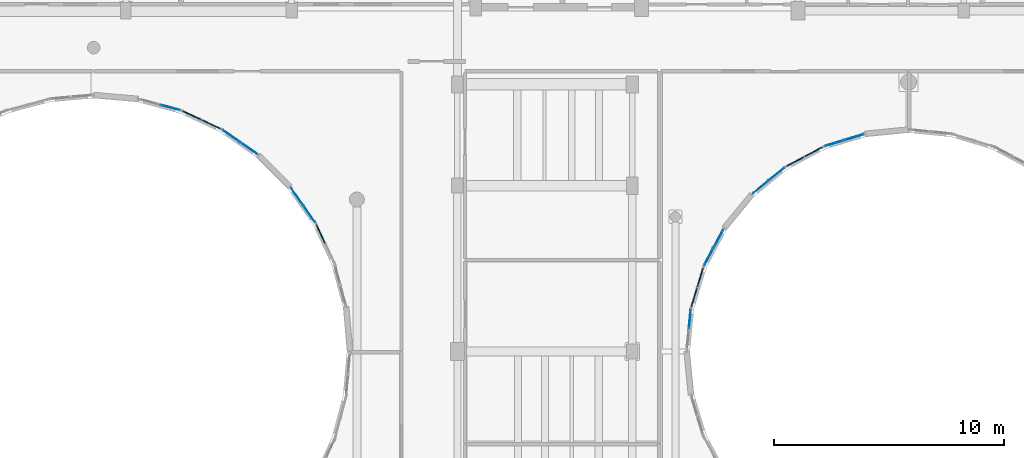
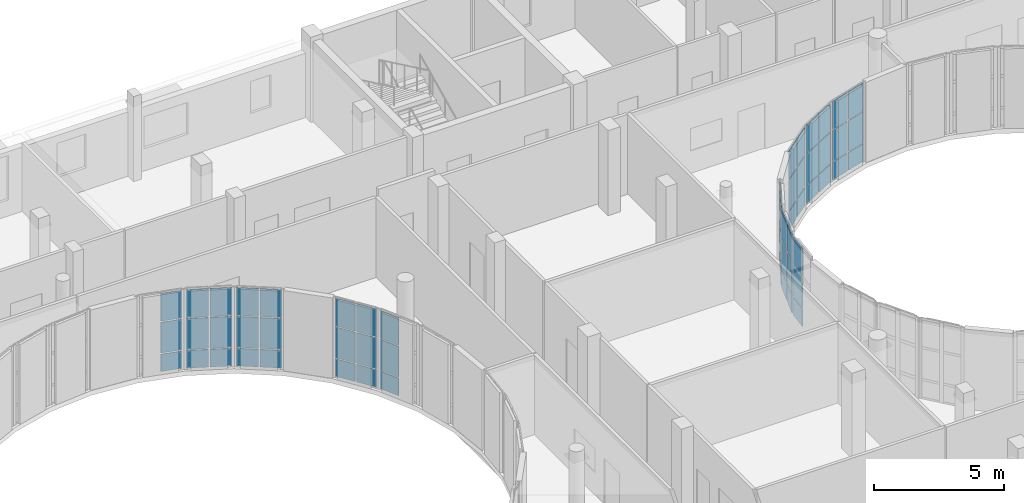
# One storey, part 61 of 89: 57 plates, 11 elements without a shape of their own.
"""IFC4 building model written with IfcOpenShell, lengths in metres."""

from ifc_helpers import new_model, si_unit, direction, frame, origin, origin_2d, place, context, subcontext, project, spatial, rectangle, extrude, material, layer, layer_set, type_object, element, aggregate, save


model = new_model("IFC4")

# Units and contexts
model_context = context("Model", 3, precision=1e-05, world=origin(), true_north=direction((0.0, 1.0)))
body_context = subcontext(model_context, "Body", "Model", "MODEL_VIEW")
ifc_project = project(units=[si_unit("LENGTHUNIT", "METRE"), si_unit("AREAUNIT", "SQUARE_METRE"), si_unit("VOLUMEUNIT", "CUBIC_METRE"), si_unit("PLANEANGLEUNIT", "RADIAN"), si_unit("MASSUNIT", "GRAM", prefix="KILO")], contexts=[model_context])

# Site, building, storey
site_placement = place(None, origin())
site = spatial("IfcSite", under=ifc_project, at=site_placement, CompositionType="ELEMENT")
building_placement = place(site_placement, origin())
building = spatial("IfcBuilding", under=site, at=building_placement, Name="Kelanivale Promenade Academy", CompositionType="ELEMENT")
storey_placement = place(building_placement, frame((0.0, 0.0, 12.199951171875)))
storey = spatial("IfcBuildingStorey", under=building, at=storey_placement, Name="L03", CompositionType="ELEMENT", Elevation=12.199951171875)

# Curtain wall, plates
ifc_material_1 = material(Name="Bronze anodised aluminium and solar-control low-E glass", Category="aluminium")
ifc_layer_1 = layer(ifc_material_1, 0.169921875)
ifc_layer_set_1 = layer_set([ifc_layer_1], Name="Bronze anodised aluminium and solar-control low-E glass")
curtain_wall_type_1 = type_object("IfcCurtainWallType", Name="CW-19 Curtain Wall 1350mm Module", PredefinedType="USERDEFINED", material=ifc_layer_set_1)
curtain_wall_1_placement = place(storey_placement, origin())
curtain_wall_1 = element("IfcCurtainWall", 1, at=curtain_wall_1_placement, inside=storey, type_object=curtain_wall_type_1, Name="L03 courtyard curtain wall CW-19", ObjectType="COURTYARD SCREEN GLAZING", PredefinedType="USERDEFINED")
ifc_material_2 = material(Name="Solar-control double glazing 28 mm", Category="glass")
ifc_layer_2 = layer(ifc_material_2, 0.028076171875)
ifc_layer_set_2 = layer_set([ifc_layer_2], Name="Solar-control double glazing 28 mm")
plate_type_1 = type_object("IfcPlateType", Name="CWP-01 Plate 28mm", PredefinedType="CURTAIN_PANEL", material=ifc_layer_set_2)
plate_1_placement = place(storey_placement, frame((93.0634765625, 64.50390625, 0.05029296875), z_axis=(0.0, 0.0, 1.0), x_axis=(-0.773257170269, -0.634092539482, 0.0)))
plate_1 = element("IfcPlate", 2, at=plate_1_placement, type_object=plate_type_1, Name="CW-19 panel 1.1", PredefinedType="CURTAIN_PANEL", context=body_context, shape_type="SweptSolid", body=[
    extrude(rectangle(XDim=0.825927734375, YDim=0.028076171875, at=origin_2d()), origin(), (0.0, 0.0, 1.0), 0.824951171875),
])
plate_2_placement = place(storey_placement, frame((93.0634765625, 64.50390625, 0.92529296875), z_axis=(0.0, 0.0, 1.0), x_axis=(-0.773257170269, -0.634092539482, 0.0)))
plate_2 = element("IfcPlate", 3, at=plate_2_placement, type_object=plate_type_1, Name="CW-19 panel 1.2", PredefinedType="CURTAIN_PANEL", context=body_context, shape_type="SweptSolid", body=[
    extrude(rectangle(XDim=0.825927734375, YDim=0.028076171875, at=origin_2d()), origin(), (0.0, 0.0, 1.0), 1.449951171875),
])
plate_3_placement = place(storey_placement, frame((93.0634765625, 64.50390625, 2.42529296875), z_axis=(0.0, 0.0, 1.0), x_axis=(-0.773257170269, -0.634092539482, 0.0)))
plate_3 = element("IfcPlate", 4, at=plate_3_placement, type_object=plate_type_1, Name="CW-19 panel 1.3", PredefinedType="CURTAIN_PANEL", context=body_context, shape_type="SweptSolid", body=[
    extrude(rectangle(XDim=0.825927734375, YDim=0.028076171875, at=origin_2d()), origin(), (0.0, 0.0, 1.0), 1.304931640625),
])
plate_4_placement = place(storey_placement, frame((92.37451171875, 63.93896484375, 0.05029296875), z_axis=(0.0, 0.0, 1.0), x_axis=(-0.773257170269, -0.634092539482, 0.0)))
plate_4 = element("IfcPlate", 5, at=plate_4_placement, type_object=plate_type_1, Name="CW-19 panel 2.1", PredefinedType="CURTAIN_PANEL", context=body_context, shape_type="SweptSolid", body=[
    extrude(rectangle(XDim=0.825927734375, YDim=0.028076171875, at=origin_2d()), origin(), (0.0, 0.0, 1.0), 0.824951171875),
])
plate_5_placement = place(storey_placement, frame((92.37451171875, 63.93896484375, 0.92529296875), z_axis=(0.0, 0.0, 1.0), x_axis=(-0.773257170269, -0.634092539482, 0.0)))
plate_5 = element("IfcPlate", 6, at=plate_5_placement, type_object=plate_type_1, Name="CW-19 panel 2.2", PredefinedType="CURTAIN_PANEL", context=body_context, shape_type="SweptSolid", body=[
    extrude(rectangle(XDim=0.825927734375, YDim=0.028076171875, at=origin_2d()), origin(), (0.0, 0.0, 1.0), 1.449951171875),
])
plate_6_placement = place(storey_placement, frame((92.37451171875, 63.93896484375, 2.42529296875), z_axis=(0.0, 0.0, 1.0), x_axis=(-0.773257170269, -0.634092539482, 0.0)))
plate_6 = element("IfcPlate", 7, at=plate_6_placement, type_object=plate_type_1, Name="CW-19 panel 2.3", PredefinedType="CURTAIN_PANEL", context=body_context, shape_type="SweptSolid", body=[
    extrude(rectangle(XDim=0.825927734375, YDim=0.028076171875, at=origin_2d()), origin(), (0.0, 0.0, 1.0), 1.304931640625),
])
aggregate(curtain_wall_1, [plate_1, plate_2, plate_3, plate_4, plate_5, plate_6])

ifc_layer_3 = layer(ifc_material_1, 0.169921875)
ifc_layer_set_3 = layer_set([ifc_layer_3], Name="Bronze anodised aluminium and solar-control low-E glass")
curtain_wall_type_2 = type_object("IfcCurtainWallType", Name="CW-22 Curtain Wall 1800mm Module", PredefinedType="USERDEFINED", material=ifc_layer_set_3)
curtain_wall_2_placement = place(storey_placement, origin())
curtain_wall_2 = element("IfcCurtainWall", 8, at=curtain_wall_2_placement, inside=storey, type_object=curtain_wall_type_2, Name="L03 courtyard curtain wall CW-22", ObjectType="COURTYARD SCREEN GLAZING", PredefinedType="USERDEFINED")
plate_7_placement = place(storey_placement, frame((89.297119140625, 58.192626953125, 0.05029296875), z_axis=(0.0, 0.0, 1.0), x_axis=(-0.098538762159, -0.99513321337, 0.0)))
plate_7 = element("IfcPlate", 9, at=plate_7_placement, type_object=plate_type_1, Name="CW-22 panel 1.1", PredefinedType="CURTAIN_PANEL", context=body_context, shape_type="SweptSolid", body=[
    extrude(rectangle(XDim=0.83349609375, YDim=0.028076171875, at=origin_2d()), origin(), (0.0, 0.0, 1.0), 0.824951171875),
])
plate_8_placement = place(storey_placement, frame((89.297119140625, 58.192626953125, 0.92529296875), z_axis=(0.0, 0.0, 1.0), x_axis=(-0.098538762159, -0.99513321337, 0.0)))
plate_8 = element("IfcPlate", 10, at=plate_8_placement, type_object=plate_type_1, Name="CW-22 panel 1.2", PredefinedType="CURTAIN_PANEL", context=body_context, shape_type="SweptSolid", body=[
    extrude(rectangle(XDim=0.83349609375, YDim=0.028076171875, at=origin_2d()), origin(), (0.0, 0.0, 1.0), 1.449951171875),
])
plate_9_placement = place(storey_placement, frame((89.297119140625, 58.192626953125, 2.42529296875), z_axis=(0.0, 0.0, 1.0), x_axis=(-0.098538762159, -0.99513321337, 0.0)))
plate_9 = element("IfcPlate", 11, at=plate_9_placement, type_object=plate_type_1, Name="CW-22 panel 1.3", PredefinedType="CURTAIN_PANEL", context=body_context, shape_type="SweptSolid", body=[
    extrude(rectangle(XDim=0.83349609375, YDim=0.028076171875, at=origin_2d()), origin(), (0.0, 0.0, 1.0), 1.304931640625),
])
aggregate(curtain_wall_2, [plate_7, plate_8, plate_9])

ifc_layer_4 = layer(ifc_material_1, 0.169921875)
ifc_layer_set_4 = layer_set([ifc_layer_4], Name="Bronze anodised aluminium and solar-control low-E glass")
curtain_wall_type_3 = type_object("IfcCurtainWallType", Name="CW-13 Curtain Wall 1350mm Module", PredefinedType="USERDEFINED", material=ifc_layer_set_4)
curtain_wall_3_placement = place(storey_placement, origin())
curtain_wall_3 = element("IfcCurtainWall", 12, at=curtain_wall_3_placement, inside=storey, type_object=curtain_wall_type_3, Name="L03 courtyard curtain wall CW-13", ObjectType="COURTYARD SCREEN GLAZING", PredefinedType="USERDEFINED")
plate_10_placement = place(storey_placement, frame((72.759765625, 62.781982421875, 0.05029296875), z_axis=(0.0, 0.0, 1.0), x_axis=(-0.573356527561, 0.819305982099, 0.0)))
plate_10 = element("IfcPlate", 13, at=plate_10_placement, type_object=plate_type_1, Name="CW-13 panel 1.1", PredefinedType="CURTAIN_PANEL", context=body_context, shape_type="SweptSolid", body=[
    extrude(rectangle(XDim=0.861328125, YDim=0.028076171875, at=origin_2d()), origin(), (0.0, 0.0, 1.0), 0.824951171875),
])
plate_11_placement = place(storey_placement, frame((72.759765625, 62.781982421875, 0.92529296875), z_axis=(0.0, 0.0, 1.0), x_axis=(-0.573356527561, 0.819305982099, 0.0)))
plate_11 = element("IfcPlate", 14, at=plate_11_placement, type_object=plate_type_1, Name="CW-13 panel 1.2", PredefinedType="CURTAIN_PANEL", context=body_context, shape_type="SweptSolid", body=[
    extrude(rectangle(XDim=0.861328125, YDim=0.028076171875, at=origin_2d()), origin(), (0.0, 0.0, 1.0), 1.449951171875),
])
plate_12_placement = place(storey_placement, frame((72.759765625, 62.781982421875, 2.42529296875), z_axis=(0.0, 0.0, 1.0), x_axis=(-0.573356527561, 0.819305982099, 0.0)))
plate_12 = element("IfcPlate", 15, at=plate_12_placement, type_object=plate_type_1, Name="CW-13 panel 1.3", PredefinedType="CURTAIN_PANEL", context=body_context, shape_type="SweptSolid", body=[
    extrude(rectangle(XDim=0.861328125, YDim=0.028076171875, at=origin_2d()), origin(), (0.0, 0.0, 1.0), 1.304931640625),
])
plate_13_placement = place(storey_placement, frame((72.2314453125, 63.536865234375, 0.05029296875), z_axis=(0.0, 0.0, 1.0), x_axis=(-0.573356527561, 0.819305982099, 0.0)))
plate_13 = element("IfcPlate", 16, at=plate_13_placement, type_object=plate_type_1, Name="CW-13 panel 2.1", PredefinedType="CURTAIN_PANEL", context=body_context, shape_type="SweptSolid", body=[
    extrude(rectangle(XDim=0.861328125, YDim=0.028076171875, at=origin_2d()), origin(), (0.0, 0.0, 1.0), 0.824951171875),
])
plate_14_placement = place(storey_placement, frame((72.2314453125, 63.536865234375, 0.92529296875), z_axis=(0.0, 0.0, 1.0), x_axis=(-0.573356527561, 0.819305982099, 0.0)))
plate_14 = element("IfcPlate", 17, at=plate_14_placement, type_object=plate_type_1, Name="CW-13 panel 2.2", PredefinedType="CURTAIN_PANEL", context=body_context, shape_type="SweptSolid", body=[
    extrude(rectangle(XDim=0.861328125, YDim=0.028076171875, at=origin_2d()), origin(), (0.0, 0.0, 1.0), 1.449951171875),
])
plate_15_placement = place(storey_placement, frame((72.2314453125, 63.536865234375, 2.42529296875), z_axis=(0.0, 0.0, 1.0), x_axis=(-0.573356527561, 0.819305982099, 0.0)))
plate_15 = element("IfcPlate", 18, at=plate_15_placement, type_object=plate_type_1, Name="CW-13 panel 2.3", PredefinedType="CURTAIN_PANEL", context=body_context, shape_type="SweptSolid", body=[
    extrude(rectangle(XDim=0.861328125, YDim=0.028076171875, at=origin_2d()), origin(), (0.0, 0.0, 1.0), 1.304931640625),
])
aggregate(curtain_wall_3, [plate_10, plate_11, plate_12, plate_13, plate_14, plate_15])

ifc_layer_5 = layer(ifc_material_1, 0.169921875)
ifc_layer_set_5 = layer_set([ifc_layer_5], Name="Bronze anodised aluminium and solar-control low-E glass")
curtain_wall_type_4 = type_object("IfcCurtainWallType", Name="CW-16 Curtain Wall 1800mm Module", PredefinedType="USERDEFINED", material=ifc_layer_set_5)
curtain_wall_4_placement = place(storey_placement, origin())
curtain_wall_4 = element("IfcCurtainWall", 19, at=curtain_wall_4_placement, inside=storey, type_object=curtain_wall_type_4, Name="L03 courtyard curtain wall CW-16", ObjectType="COURTYARD SCREEN GLAZING", PredefinedType="USERDEFINED")
plate_16_placement = place(storey_placement, frame((66.722900390625, 67.399169921875, 0.06005859375), z_axis=(0.0, 0.0, 1.0), x_axis=(-0.965990259056, 0.258578458902, 0.0)))
plate_16 = element("IfcPlate", 20, at=plate_16_placement, type_object=plate_type_1, Name="CW-16 panel 1.1", PredefinedType="CURTAIN_PANEL", context=body_context, shape_type="SweptSolid", body=[
    extrude(rectangle(XDim=0.853759765625, YDim=0.028076171875, at=origin_2d()), origin(), (0.0, 0.0, 1.0), 0.81005859375),
])
plate_17_placement = place(storey_placement, frame((66.722900390625, 67.399169921875, 0.93017578125), z_axis=(0.0, 0.0, 1.0), x_axis=(-0.965990259056, 0.258578458902, 0.0)))
plate_17 = element("IfcPlate", 21, at=plate_17_placement, type_object=plate_type_1, Name="CW-16 panel 1.2", PredefinedType="CURTAIN_PANEL", context=body_context, shape_type="SweptSolid", body=[
    extrude(rectangle(XDim=0.853759765625, YDim=0.028076171875, at=origin_2d()), origin(), (0.0, 0.0, 1.0), 1.43994140625),
])
plate_18_placement = place(storey_placement, frame((66.722900390625, 67.399169921875, 2.429931640625), z_axis=(0.0, 0.0, 1.0), x_axis=(-0.965990259056, 0.258578458902, 0.0)))
plate_18 = element("IfcPlate", 22, at=plate_18_placement, type_object=plate_type_1, Name="CW-16 panel 1.3", PredefinedType="CURTAIN_PANEL", context=body_context, shape_type="SweptSolid", body=[
    extrude(rectangle(XDim=0.853759765625, YDim=0.028076171875, at=origin_2d()), origin(), (0.0, 0.0, 1.0), 1.2900390625),
])
aggregate(curtain_wall_4, [plate_16, plate_17, plate_18])

ifc_layer_6 = layer(ifc_material_1, 0.179931640625)
ifc_layer_set_6 = layer_set([ifc_layer_6], Name="Bronze anodised aluminium and solar-control low-E glass")
curtain_wall_type_5 = type_object("IfcCurtainWallType", Name="CW-17 Curtain Wall 1950mm Module", PredefinedType="USERDEFINED", material=ifc_layer_set_6)
curtain_wall_5_placement = place(storey_placement, origin())
curtain_wall_5 = element("IfcCurtainWall", 23, at=curtain_wall_5_placement, inside=storey, type_object=curtain_wall_type_5, Name="L03 courtyard curtain wall CW-17", ObjectType="COURTYARD SCREEN GLAZING", PredefinedType="USERDEFINED")
ifc_material_3 = material(Name="Acoustic laminated double glazing 36 mm", Category="glass")
ifc_layer_7 = layer(ifc_material_3, 0.035888671875)
ifc_layer_set_7 = layer_set([ifc_layer_7], Name="Acoustic laminated double glazing 36 mm")
plate_type_2 = type_object("IfcPlateType", Name="CWP-02 Plate 36mm", PredefinedType="CURTAIN_PANEL", material=ifc_layer_set_7)
plate_19_placement = place(storey_placement, frame((96.435546875, 66.108642578125, 0.05029296875), z_axis=(0.0, 0.0, 1.0), x_axis=(-0.956987977524, -0.290127576893, 0.0)))
plate_19 = element("IfcPlate", 24, at=plate_19_placement, type_object=plate_type_2, Name="CW-17 panel 1.1", PredefinedType="CURTAIN_PANEL", context=body_context, shape_type="SweptSolid", body=[
    extrude(rectangle(XDim=0.833740234375, YDim=0.035888671875, at=origin_2d()), origin(), (0.0, 0.0, 1.0), 0.824951171875),
])
plate_20_placement = place(storey_placement, frame((96.435546875, 66.108642578125, 0.92529296875), z_axis=(0.0, 0.0, 1.0), x_axis=(-0.956987977524, -0.290127576893, 0.0)))
plate_20 = element("IfcPlate", 25, at=plate_20_placement, type_object=plate_type_2, Name="CW-17 panel 1.2", PredefinedType="CURTAIN_PANEL", context=body_context, shape_type="SweptSolid", body=[
    extrude(rectangle(XDim=0.833740234375, YDim=0.035888671875, at=origin_2d()), origin(), (0.0, 0.0, 1.0), 1.449951171875),
])
plate_21_placement = place(storey_placement, frame((96.435546875, 66.108642578125, 2.42529296875), z_axis=(0.0, 0.0, 1.0), x_axis=(-0.956987977524, -0.290127576893, 0.0)))
plate_21 = element("IfcPlate", 26, at=plate_21_placement, type_object=plate_type_2, Name="CW-17 panel 1.3", PredefinedType="CURTAIN_PANEL", context=body_context, shape_type="SweptSolid", body=[
    extrude(rectangle(XDim=0.833740234375, YDim=0.035888671875, at=origin_2d()), origin(), (0.0, 0.0, 1.0), 1.304931640625),
])
plate_22_placement = place(storey_placement, frame((95.580322265625, 65.849365234375, 0.05029296875), z_axis=(0.0, 0.0, 1.0), x_axis=(-0.956987977524, -0.290127576893, 0.0)))
plate_22 = element("IfcPlate", 27, at=plate_22_placement, type_object=plate_type_2, Name="CW-17 panel 2.1", PredefinedType="CURTAIN_PANEL", context=body_context, shape_type="SweptSolid", body=[
    extrude(rectangle(XDim=0.833740234375, YDim=0.035888671875, at=origin_2d()), origin(), (0.0, 0.0, 1.0), 0.824951171875),
])
plate_23_placement = place(storey_placement, frame((95.580322265625, 65.849365234375, 0.92529296875), z_axis=(0.0, 0.0, 1.0), x_axis=(-0.956987977524, -0.290127576893, 0.0)))
plate_23 = element("IfcPlate", 28, at=plate_23_placement, type_object=plate_type_2, Name="CW-17 panel 2.2", PredefinedType="CURTAIN_PANEL", context=body_context, shape_type="SweptSolid", body=[
    extrude(rectangle(XDim=0.833740234375, YDim=0.035888671875, at=origin_2d()), origin(), (0.0, 0.0, 1.0), 1.449951171875),
])
plate_24_placement = place(storey_placement, frame((95.580322265625, 65.849365234375, 2.42529296875), z_axis=(0.0, 0.0, 1.0), x_axis=(-0.956987977524, -0.290127576893, 0.0)))
plate_24 = element("IfcPlate", 29, at=plate_24_placement, type_object=plate_type_2, Name="CW-17 panel 2.3", PredefinedType="CURTAIN_PANEL", context=body_context, shape_type="SweptSolid", body=[
    extrude(rectangle(XDim=0.833740234375, YDim=0.035888671875, at=origin_2d()), origin(), (0.0, 0.0, 1.0), 1.304931640625),
])
aggregate(curtain_wall_5, [plate_19, plate_20, plate_21, plate_22, plate_23, plate_24])

ifc_layer_8 = layer(ifc_material_1, 0.179931640625)
ifc_layer_set_8 = layer_set([ifc_layer_8], Name="Bronze anodised aluminium and solar-control low-E glass")
curtain_wall_type_6 = type_object("IfcCurtainWallType", Name="CW-20 Curtain Wall 1500mm Module", PredefinedType="USERDEFINED", material=ifc_layer_set_8)
curtain_wall_6_placement = place(storey_placement, origin())
curtain_wall_6 = element("IfcCurtainWall", 30, at=curtain_wall_6_placement, inside=storey, type_object=curtain_wall_type_6, Name="L03 courtyard curtain wall CW-20", ObjectType="COURTYARD SCREEN GLAZING", PredefinedType="USERDEFINED")
plate_25_placement = place(storey_placement, frame((90.545654296875, 61.709228515625, 0.06005859375), z_axis=(0.0, 0.0, 1.0), x_axis=(-0.471290193914, -0.881978204448, 0.0)))
plate_25 = element("IfcPlate", 31, at=plate_25_placement, type_object=plate_type_2, Name="CW-20 panel 1.1", PredefinedType="CURTAIN_PANEL", context=body_context, shape_type="SweptSolid", body=[
    extrude(rectangle(XDim=0.82666015625, YDim=0.035888671875, at=origin_2d()), origin(), (0.0, 0.0, 1.0), 0.81005859375),
])
plate_26_placement = place(storey_placement, frame((90.545654296875, 61.709228515625, 0.93017578125), z_axis=(0.0, 0.0, 1.0), x_axis=(-0.471290193914, -0.881978204448, 0.0)))
plate_26 = element("IfcPlate", 32, at=plate_26_placement, type_object=plate_type_2, Name="CW-20 panel 1.2", PredefinedType="CURTAIN_PANEL", context=body_context, shape_type="SweptSolid", body=[
    extrude(rectangle(XDim=0.82666015625, YDim=0.035888671875, at=origin_2d()), origin(), (0.0, 0.0, 1.0), 1.43994140625),
])
plate_27_placement = place(storey_placement, frame((90.545654296875, 61.709228515625, 2.429931640625), z_axis=(0.0, 0.0, 1.0), x_axis=(-0.471290193914, -0.881978204448, 0.0)))
plate_27 = element("IfcPlate", 33, at=plate_27_placement, type_object=plate_type_2, Name="CW-20 panel 1.3", PredefinedType="CURTAIN_PANEL", context=body_context, shape_type="SweptSolid", body=[
    extrude(rectangle(XDim=0.82666015625, YDim=0.035888671875, at=origin_2d()), origin(), (0.0, 0.0, 1.0), 1.2900390625),
])
plate_28_placement = place(storey_placement, frame((90.12548828125, 60.9228515625, 0.06005859375), z_axis=(0.0, 0.0, 1.0), x_axis=(-0.471290193914, -0.881978204448, 0.0)))
plate_28 = element("IfcPlate", 34, at=plate_28_placement, type_object=plate_type_2, Name="CW-20 panel 2.1", PredefinedType="CURTAIN_PANEL", context=body_context, shape_type="SweptSolid", body=[
    extrude(rectangle(XDim=0.82666015625, YDim=0.035888671875, at=origin_2d()), origin(), (0.0, 0.0, 1.0), 0.81005859375),
])
plate_29_placement = place(storey_placement, frame((90.12548828125, 60.9228515625, 0.93017578125), z_axis=(0.0, 0.0, 1.0), x_axis=(-0.471290193914, -0.881978204448, 0.0)))
plate_29 = element("IfcPlate", 35, at=plate_29_placement, type_object=plate_type_2, Name="CW-20 panel 2.2", PredefinedType="CURTAIN_PANEL", context=body_context, shape_type="SweptSolid", body=[
    extrude(rectangle(XDim=0.82666015625, YDim=0.035888671875, at=origin_2d()), origin(), (0.0, 0.0, 1.0), 1.43994140625),
])
plate_30_placement = place(storey_placement, frame((90.12548828125, 60.9228515625, 2.429931640625), z_axis=(0.0, 0.0, 1.0), x_axis=(-0.471290193914, -0.881978204448, 0.0)))
plate_30 = element("IfcPlate", 36, at=plate_30_placement, type_object=plate_type_2, Name="CW-20 panel 2.3", PredefinedType="CURTAIN_PANEL", context=body_context, shape_type="SweptSolid", body=[
    extrude(rectangle(XDim=0.82666015625, YDim=0.035888671875, at=origin_2d()), origin(), (0.0, 0.0, 1.0), 1.2900390625),
])
aggregate(curtain_wall_6, [plate_25, plate_26, plate_27, plate_28, plate_29, plate_30])

ifc_layer_9 = layer(ifc_material_1, 0.179931640625)
ifc_layer_set_9 = layer_set([ifc_layer_9], Name="Bronze anodised aluminium and solar-control low-E glass")
curtain_wall_type_7 = type_object("IfcCurtainWallType", Name="CW-14 Curtain Wall 1500mm Module", PredefinedType="USERDEFINED", material=ifc_layer_set_9)
curtain_wall_7_placement = place(storey_placement, origin())
curtain_wall_7 = element("IfcCurtainWall", 37, at=curtain_wall_7_placement, inside=storey, type_object=curtain_wall_type_7, Name="L03 courtyard curtain wall CW-14", ObjectType="COURTYARD SCREEN GLAZING", PredefinedType="USERDEFINED")
plate_31_placement = place(storey_placement, frame((70.136962890625, 65.63134765625, 0.05029296875), z_axis=(0.0, 0.0, 1.0), x_axis=(-0.819305982099, 0.573356527561, 0.0)))
plate_31 = element("IfcPlate", 38, at=plate_31_placement, type_object=plate_type_2, Name="CW-14 panel 1.1", PredefinedType="CURTAIN_PANEL", context=body_context, shape_type="SweptSolid", body=[
    extrude(rectangle(XDim=0.861328125, YDim=0.035888671875, at=origin_2d()), origin(), (0.0, 0.0, 1.0), 0.824951171875),
])
plate_32_placement = place(storey_placement, frame((70.136962890625, 65.63134765625, 0.92529296875), z_axis=(0.0, 0.0, 1.0), x_axis=(-0.819305982099, 0.573356527561, 0.0)))
plate_32 = element("IfcPlate", 39, at=plate_32_placement, type_object=plate_type_2, Name="CW-14 panel 1.2", PredefinedType="CURTAIN_PANEL", context=body_context, shape_type="SweptSolid", body=[
    extrude(rectangle(XDim=0.861328125, YDim=0.035888671875, at=origin_2d()), origin(), (0.0, 0.0, 1.0), 1.449951171875),
])
plate_33_placement = place(storey_placement, frame((70.136962890625, 65.63134765625, 2.42529296875), z_axis=(0.0, 0.0, 1.0), x_axis=(-0.819305982099, 0.573356527561, 0.0)))
plate_33 = element("IfcPlate", 40, at=plate_33_placement, type_object=plate_type_2, Name="CW-14 panel 1.3", PredefinedType="CURTAIN_PANEL", context=body_context, shape_type="SweptSolid", body=[
    extrude(rectangle(XDim=0.861328125, YDim=0.035888671875, at=origin_2d()), origin(), (0.0, 0.0, 1.0), 1.304931640625),
])
plate_34_placement = place(storey_placement, frame((69.382080078125, 66.15966796875, 0.05029296875), z_axis=(0.0, 0.0, 1.0), x_axis=(-0.819305982099, 0.573356527561, 0.0)))
plate_34 = element("IfcPlate", 41, at=plate_34_placement, type_object=plate_type_2, Name="CW-14 panel 2.1", PredefinedType="CURTAIN_PANEL", context=body_context, shape_type="SweptSolid", body=[
    extrude(rectangle(XDim=0.861328125, YDim=0.035888671875, at=origin_2d()), origin(), (0.0, 0.0, 1.0), 0.824951171875),
])
plate_35_placement = place(storey_placement, frame((69.382080078125, 66.15966796875, 0.92529296875), z_axis=(0.0, 0.0, 1.0), x_axis=(-0.819305982099, 0.573356527561, 0.0)))
plate_35 = element("IfcPlate", 42, at=plate_35_placement, type_object=plate_type_2, Name="CW-14 panel 2.2", PredefinedType="CURTAIN_PANEL", context=body_context, shape_type="SweptSolid", body=[
    extrude(rectangle(XDim=0.861328125, YDim=0.035888671875, at=origin_2d()), origin(), (0.0, 0.0, 1.0), 1.449951171875),
])
plate_36_placement = place(storey_placement, frame((69.382080078125, 66.15966796875, 2.42529296875), z_axis=(0.0, 0.0, 1.0), x_axis=(-0.819305982099, 0.573356527561, 0.0)))
plate_36 = element("IfcPlate", 43, at=plate_36_placement, type_object=plate_type_2, Name="CW-14 panel 2.3", PredefinedType="CURTAIN_PANEL", context=body_context, shape_type="SweptSolid", body=[
    extrude(rectangle(XDim=0.861328125, YDim=0.035888671875, at=origin_2d()), origin(), (0.0, 0.0, 1.0), 1.304931640625),
])
aggregate(curtain_wall_7, [plate_31, plate_32, plate_33, plate_34, plate_35, plate_36])

ifc_layer_10 = layer(ifc_material_1, 0.159912109375)
ifc_layer_set_10 = layer_set([ifc_layer_10], Name="Bronze anodised aluminium and solar-control low-E glass")
curtain_wall_type_8 = type_object("IfcCurtainWallType", Name="CW-18 Curtain Wall 1200mm Module", PredefinedType="USERDEFINED", material=ifc_layer_set_10)
curtain_wall_8_placement = place(storey_placement, origin())
curtain_wall_8 = element("IfcCurtainWall", 44, at=curtain_wall_8_placement, inside=storey, type_object=curtain_wall_type_8, Name="L03 courtyard curtain wall CW-18", ObjectType="COURTYARD SCREEN GLAZING", PredefinedType="USERDEFINED")
ifc_material_4 = material(Name="Insulated bronze aluminium spandrel panel 44 mm", Category="aluminium")
ifc_layer_11 = layer(ifc_material_4, 0.0439453125)
ifc_layer_set_11 = layer_set([ifc_layer_11], Name="Insulated bronze aluminium spandrel panel 44 mm")
plate_type_3 = type_object("IfcPlateType", Name="CWP-03 Plate 44mm", PredefinedType="CURTAIN_PANEL", material=ifc_layer_set_11)
plate_37_placement = place(storey_placement, frame((94.675048828125, 65.473388671875, 0.05029296875), z_axis=(0.0, 0.0, 1.0), x_axis=(-0.881966294698, -0.471312481286, 0.0)))
plate_37 = element("IfcPlate", 45, at=plate_37_placement, type_object=plate_type_3, Name="CW-18 panel 1.1", PredefinedType="CURTAIN_PANEL", context=body_context, shape_type="SweptSolid", body=[
    extrude(rectangle(XDim=0.841552734375, YDim=0.0439453125, at=origin_2d()), origin(), (0.0, 0.0, 1.0), 0.824951171875),
])
plate_38_placement = place(storey_placement, frame((94.675048828125, 65.473388671875, 0.92529296875), z_axis=(0.0, 0.0, 1.0), x_axis=(-0.881966294698, -0.471312481286, 0.0)))
plate_38 = element("IfcPlate", 46, at=plate_38_placement, type_object=plate_type_3, Name="CW-18 panel 1.2", PredefinedType="CURTAIN_PANEL", context=body_context, shape_type="SweptSolid", body=[
    extrude(rectangle(XDim=0.841552734375, YDim=0.0439453125, at=origin_2d()), origin(), (0.0, 0.0, 1.0), 1.449951171875),
])
plate_39_placement = place(storey_placement, frame((94.675048828125, 65.473388671875, 2.42529296875), z_axis=(0.0, 0.0, 1.0), x_axis=(-0.881966294698, -0.471312481286, 0.0)))
plate_39 = element("IfcPlate", 47, at=plate_39_placement, type_object=plate_type_3, Name="CW-18 panel 1.3", PredefinedType="CURTAIN_PANEL", context=body_context, shape_type="SweptSolid", body=[
    extrude(rectangle(XDim=0.841552734375, YDim=0.0439453125, at=origin_2d()), origin(), (0.0, 0.0, 1.0), 1.304931640625),
])
plate_40_placement = place(storey_placement, frame((93.8798828125, 65.048583984375, 0.05029296875), z_axis=(0.0, 0.0, 1.0), x_axis=(-0.881966294698, -0.471312481286, 0.0)))
plate_40 = element("IfcPlate", 48, at=plate_40_placement, type_object=plate_type_3, Name="CW-18 panel 2.1", PredefinedType="CURTAIN_PANEL", context=body_context, shape_type="SweptSolid", body=[
    extrude(rectangle(XDim=0.841552734375, YDim=0.0439453125, at=origin_2d()), origin(), (0.0, 0.0, 1.0), 0.824951171875),
])
plate_41_placement = place(storey_placement, frame((93.8798828125, 65.048583984375, 0.92529296875), z_axis=(0.0, 0.0, 1.0), x_axis=(-0.881966294698, -0.471312481286, 0.0)))
plate_41 = element("IfcPlate", 49, at=plate_41_placement, type_object=plate_type_3, Name="CW-18 panel 2.2", PredefinedType="CURTAIN_PANEL", context=body_context, shape_type="SweptSolid", body=[
    extrude(rectangle(XDim=0.841552734375, YDim=0.0439453125, at=origin_2d()), origin(), (0.0, 0.0, 1.0), 1.449951171875),
])
plate_42_placement = place(storey_placement, frame((93.8798828125, 65.048583984375, 2.42529296875), z_axis=(0.0, 0.0, 1.0), x_axis=(-0.881966294698, -0.471312481286, 0.0)))
plate_42 = element("IfcPlate", 50, at=plate_42_placement, type_object=plate_type_3, Name="CW-18 panel 2.3", PredefinedType="CURTAIN_PANEL", context=body_context, shape_type="SweptSolid", body=[
    extrude(rectangle(XDim=0.841552734375, YDim=0.0439453125, at=origin_2d()), origin(), (0.0, 0.0, 1.0), 1.304931640625),
])
aggregate(curtain_wall_8, [plate_37, plate_38, plate_39, plate_40, plate_41, plate_42])

ifc_layer_12 = layer(ifc_material_1, 0.159912109375)
ifc_layer_set_12 = layer_set([ifc_layer_12], Name="Bronze anodised aluminium and solar-control low-E glass")
curtain_wall_type_9 = type_object("IfcCurtainWallType", Name="CW-21 Curtain Wall 1650mm Module", PredefinedType="USERDEFINED", material=ifc_layer_set_12)
curtain_wall_9_placement = place(storey_placement, origin())
curtain_wall_9 = element("IfcCurtainWall", 51, at=curtain_wall_9_placement, inside=storey, type_object=curtain_wall_type_9, Name="L03 courtyard curtain wall CW-21", ObjectType="COURTYARD SCREEN GLAZING", PredefinedType="USERDEFINED")
plate_43_placement = place(storey_placement, frame((89.749755859375, 60.01611328125, 0.05029296875), z_axis=(0.0, 0.0, 1.0), x_axis=(-0.290007395287, -0.957024404432, 0.0)))
plate_43 = element("IfcPlate", 52, at=plate_43_placement, type_object=plate_type_3, Name="CW-21 panel 1.1", PredefinedType="CURTAIN_PANEL", context=body_context, shape_type="SweptSolid", body=[
    extrude(rectangle(XDim=0.841064453125, YDim=0.0439453125, at=origin_2d()), origin(), (0.0, 0.0, 1.0), 0.824951171875),
])
plate_44_placement = place(storey_placement, frame((89.749755859375, 60.01611328125, 0.92529296875), z_axis=(0.0, 0.0, 1.0), x_axis=(-0.290007395287, -0.957024404432, 0.0)))
plate_44 = element("IfcPlate", 53, at=plate_44_placement, type_object=plate_type_3, Name="CW-21 panel 1.2", PredefinedType="CURTAIN_PANEL", context=body_context, shape_type="SweptSolid", body=[
    extrude(rectangle(XDim=0.841064453125, YDim=0.0439453125, at=origin_2d()), origin(), (0.0, 0.0, 1.0), 1.449951171875),
])
plate_45_placement = place(storey_placement, frame((89.749755859375, 60.01611328125, 2.42529296875), z_axis=(0.0, 0.0, 1.0), x_axis=(-0.290007395287, -0.957024404432, 0.0)))
plate_45 = element("IfcPlate", 54, at=plate_45_placement, type_object=plate_type_3, Name="CW-21 panel 1.3", PredefinedType="CURTAIN_PANEL", context=body_context, shape_type="SweptSolid", body=[
    extrude(rectangle(XDim=0.841064453125, YDim=0.0439453125, at=origin_2d()), origin(), (0.0, 0.0, 1.0), 1.304931640625),
])
plate_46_placement = place(storey_placement, frame((89.48828125, 59.15380859375, 0.05029296875), z_axis=(0.0, 0.0, 1.0), x_axis=(-0.290007395287, -0.957024404432, 0.0)))
plate_46 = element("IfcPlate", 55, at=plate_46_placement, type_object=plate_type_3, Name="CW-21 panel 2.1", PredefinedType="CURTAIN_PANEL", context=body_context, shape_type="SweptSolid", body=[
    extrude(rectangle(XDim=0.841064453125, YDim=0.0439453125, at=origin_2d()), origin(), (0.0, 0.0, 1.0), 0.824951171875),
])
plate_47_placement = place(storey_placement, frame((89.48828125, 59.15380859375, 0.92529296875), z_axis=(0.0, 0.0, 1.0), x_axis=(-0.290007395287, -0.957024404432, 0.0)))
plate_47 = element("IfcPlate", 56, at=plate_47_placement, type_object=plate_type_3, Name="CW-21 panel 2.2", PredefinedType="CURTAIN_PANEL", context=body_context, shape_type="SweptSolid", body=[
    extrude(rectangle(XDim=0.841064453125, YDim=0.0439453125, at=origin_2d()), origin(), (0.0, 0.0, 1.0), 1.449951171875),
])
plate_48_placement = place(storey_placement, frame((89.48828125, 59.15380859375, 2.42529296875), z_axis=(0.0, 0.0, 1.0), x_axis=(-0.290007395287, -0.957024404432, 0.0)))
plate_48 = element("IfcPlate", 57, at=plate_48_placement, type_object=plate_type_3, Name="CW-21 panel 2.3", PredefinedType="CURTAIN_PANEL", context=body_context, shape_type="SweptSolid", body=[
    extrude(rectangle(XDim=0.841064453125, YDim=0.0439453125, at=origin_2d()), origin(), (0.0, 0.0, 1.0), 1.304931640625),
])
aggregate(curtain_wall_9, [plate_43, plate_44, plate_45, plate_46, plate_47, plate_48])

ifc_layer_13 = layer(ifc_material_1, 0.159912109375)
ifc_layer_set_13 = layer_set([ifc_layer_13], Name="Bronze anodised aluminium and solar-control low-E glass")
curtain_wall_type_10 = type_object("IfcCurtainWallType", Name="CW-12 Curtain Wall 1200mm Module", PredefinedType="USERDEFINED", material=ifc_layer_set_13)
curtain_wall_10_placement = place(storey_placement, origin())
curtain_wall_10 = element("IfcCurtainWall", 58, at=curtain_wall_10_placement, inside=storey, type_object=curtain_wall_type_10, Name="L03 courtyard curtain wall CW-12", ObjectType="UNITISED GLAZING", PredefinedType="USERDEFINED")
plate_49_placement = place(storey_placement, frame((73.2626953125, 61.90966796875, 0.06005859375), z_axis=(0.0, 0.0, 1.0), x_axis=(-0.422856921222, 0.906196460032, 0.0)))
plate_49 = element("IfcPlate", 59, at=plate_49_placement, type_object=plate_type_3, Name="CW-12 panel 2.1", PredefinedType="CURTAIN_PANEL", context=body_context, shape_type="SweptSolid", body=[
    extrude(rectangle(XDim=0.861572265625, YDim=0.0439453125, at=origin_2d()), origin(), (0.0, 0.0, 1.0), 0.81005859375),
])
plate_50_placement = place(storey_placement, frame((73.2626953125, 61.90966796875, 0.93017578125), z_axis=(0.0, 0.0, 1.0), x_axis=(-0.422856921222, 0.906196460032, 0.0)))
plate_50 = element("IfcPlate", 60, at=plate_50_placement, type_object=plate_type_3, Name="CW-12 panel 2.2", PredefinedType="CURTAIN_PANEL", context=body_context, shape_type="SweptSolid", body=[
    extrude(rectangle(XDim=0.861572265625, YDim=0.0439453125, at=origin_2d()), origin(), (0.0, 0.0, 1.0), 1.43994140625),
])
plate_51_placement = place(storey_placement, frame((73.2626953125, 61.90966796875, 2.429931640625), z_axis=(0.0, 0.0, 1.0), x_axis=(-0.422856921222, 0.906196460032, 0.0)))
plate_51 = element("IfcPlate", 61, at=plate_51_placement, type_object=plate_type_3, Name="CW-12 panel 2.3", PredefinedType="CURTAIN_PANEL", context=body_context, shape_type="SweptSolid", body=[
    extrude(rectangle(XDim=0.861572265625, YDim=0.0439453125, at=origin_2d()), origin(), (0.0, 0.0, 1.0), 1.2900390625),
])
aggregate(curtain_wall_10, [plate_49, plate_50, plate_51])

ifc_layer_14 = layer(ifc_material_1, 0.159912109375)
ifc_layer_set_14 = layer_set([ifc_layer_14], Name="Bronze anodised aluminium and solar-control low-E glass")
curtain_wall_type_11 = type_object("IfcCurtainWallType", Name="CW-15 Curtain Wall 1650mm Module", PredefinedType="USERDEFINED", material=ifc_layer_set_14)
curtain_wall_11_placement = place(storey_placement, origin())
curtain_wall_11 = element("IfcCurtainWall", 62, at=curtain_wall_11_placement, inside=storey, type_object=curtain_wall_type_11, Name="L03 courtyard curtain wall CW-15", ObjectType="COURTYARD SCREEN GLAZING", PredefinedType="USERDEFINED")
plate_52_placement = place(storey_placement, frame((68.509765625, 66.66259765625, 0.05029296875), z_axis=(0.0, 0.0, 1.0), x_axis=(-0.906196460032, 0.422856921222, 0.0)))
plate_52 = element("IfcPlate", 63, at=plate_52_placement, type_object=plate_type_3, Name="CW-15 panel 1.1", PredefinedType="CURTAIN_PANEL", context=body_context, shape_type="SweptSolid", body=[
    extrude(rectangle(XDim=0.861572265625, YDim=0.0439453125, at=origin_2d()), origin(), (0.0, 0.0, 1.0), 0.824951171875),
])
plate_53_placement = place(storey_placement, frame((68.509765625, 66.66259765625, 0.92529296875), z_axis=(0.0, 0.0, 1.0), x_axis=(-0.906196460032, 0.422856921222, 0.0)))
plate_53 = element("IfcPlate", 64, at=plate_53_placement, type_object=plate_type_3, Name="CW-15 panel 1.2", PredefinedType="CURTAIN_PANEL", context=body_context, shape_type="SweptSolid", body=[
    extrude(rectangle(XDim=0.861572265625, YDim=0.0439453125, at=origin_2d()), origin(), (0.0, 0.0, 1.0), 1.449951171875),
])
plate_54_placement = place(storey_placement, frame((68.509765625, 66.66259765625, 2.42529296875), z_axis=(0.0, 0.0, 1.0), x_axis=(-0.906196460032, 0.422856921222, 0.0)))
plate_54 = element("IfcPlate", 65, at=plate_54_placement, type_object=plate_type_3, Name="CW-15 panel 1.3", PredefinedType="CURTAIN_PANEL", context=body_context, shape_type="SweptSolid", body=[
    extrude(rectangle(XDim=0.861572265625, YDim=0.0439453125, at=origin_2d()), origin(), (0.0, 0.0, 1.0), 1.304931640625),
])
plate_55_placement = place(storey_placement, frame((67.670166015625, 67.054443359375, 0.05029296875), z_axis=(0.0, 0.0, 1.0), x_axis=(-0.906196460032, 0.422856921222, 0.0)))
plate_55 = element("IfcPlate", 66, at=plate_55_placement, type_object=plate_type_3, Name="CW-15 panel 2.1", PredefinedType="CURTAIN_PANEL", context=body_context, shape_type="SweptSolid", body=[
    extrude(rectangle(XDim=0.861572265625, YDim=0.0439453125, at=origin_2d()), origin(), (0.0, 0.0, 1.0), 0.824951171875),
])
plate_56_placement = place(storey_placement, frame((67.670166015625, 67.054443359375, 0.92529296875), z_axis=(0.0, 0.0, 1.0), x_axis=(-0.906196460032, 0.422856921222, 0.0)))
plate_56 = element("IfcPlate", 67, at=plate_56_placement, type_object=plate_type_3, Name="CW-15 panel 2.2", PredefinedType="CURTAIN_PANEL", context=body_context, shape_type="SweptSolid", body=[
    extrude(rectangle(XDim=0.861572265625, YDim=0.0439453125, at=origin_2d()), origin(), (0.0, 0.0, 1.0), 1.449951171875),
])
plate_57_placement = place(storey_placement, frame((67.670166015625, 67.054443359375, 2.42529296875), z_axis=(0.0, 0.0, 1.0), x_axis=(-0.906196460032, 0.422856921222, 0.0)))
plate_57 = element("IfcPlate", 68, at=plate_57_placement, type_object=plate_type_3, Name="CW-15 panel 2.3", PredefinedType="CURTAIN_PANEL", context=body_context, shape_type="SweptSolid", body=[
    extrude(rectangle(XDim=0.861572265625, YDim=0.0439453125, at=origin_2d()), origin(), (0.0, 0.0, 1.0), 1.304931640625),
])
aggregate(curtain_wall_11, [plate_52, plate_53, plate_54, plate_55, plate_56, plate_57])

save(model, "model.ifc")
